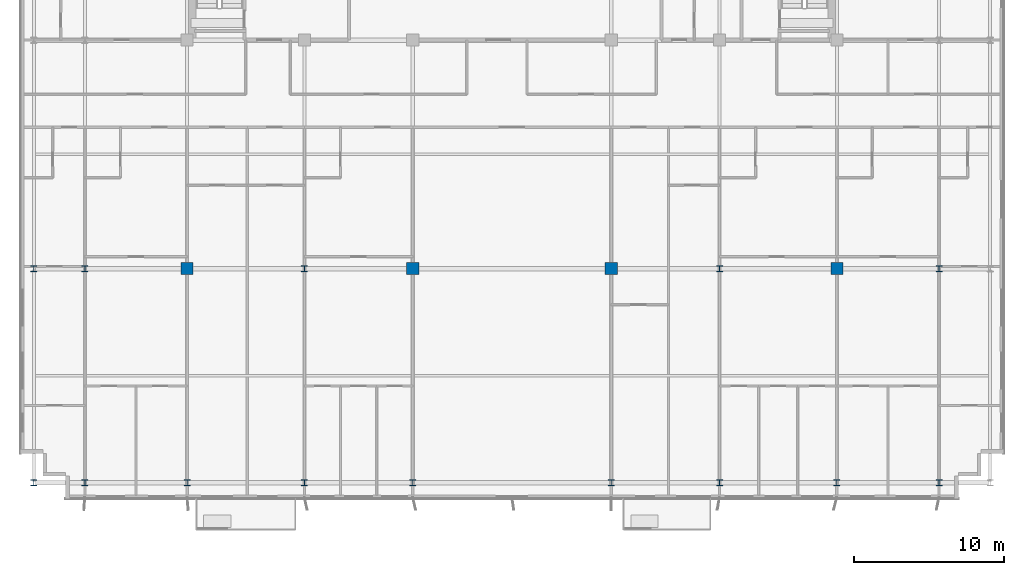
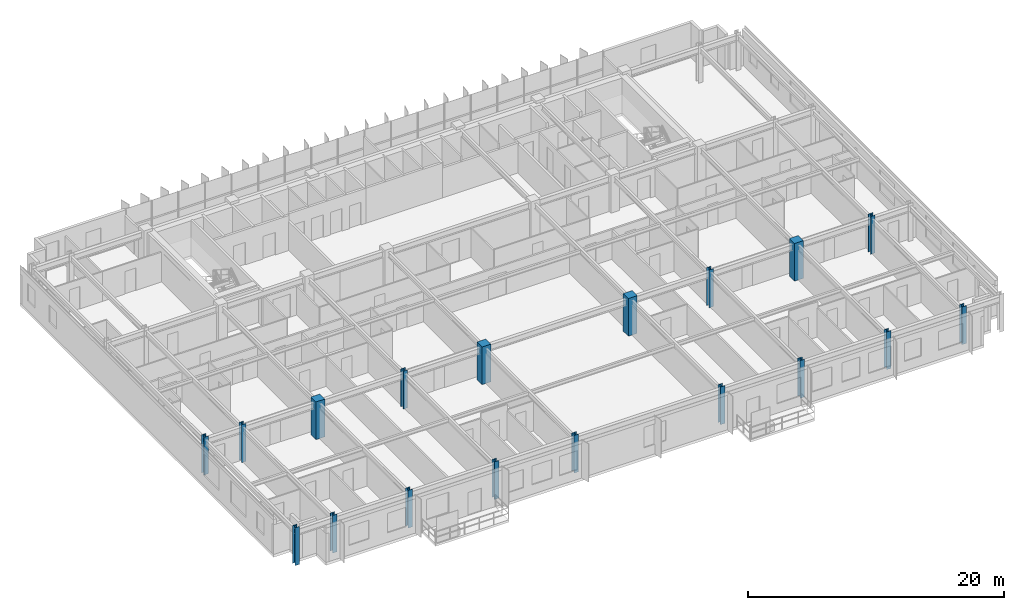
# One storey, part 1 of 22: 18 columns.
"""IFC4 building model written with IfcOpenShell, lengths in metres."""

from ifc_helpers import new_model, si_unit, direction, frame, origin, origin_2d, place, context, subcontext, project, spatial, rectangle, i_section, extrude, source, transform, mapped, material, material_profile, profile_set, type_object, element, save


model = new_model("IFC4")

# Units and contexts
model_context = context("Model", 3, precision=1e-05, world=origin(), true_north=direction((0.0, 1.0)))
body_context = subcontext(model_context, "Body", "Model", "MODEL_VIEW")
ifc_project = project(units=[si_unit("LENGTHUNIT", "METRE"), si_unit("AREAUNIT", "SQUARE_METRE"), si_unit("VOLUMEUNIT", "CUBIC_METRE"), si_unit("PLANEANGLEUNIT", "RADIAN"), si_unit("MASSUNIT", "GRAM", prefix="KILO")], contexts=[model_context])

# Site, building, storey
site_placement = place(None, origin())
site = spatial("IfcSite", under=ifc_project, at=site_placement, CompositionType="ELEMENT")
building_placement = place(site_placement, origin())
building = spatial("IfcBuilding", under=site, at=building_placement, Name="Trelvane Seafront Commons", CompositionType="ELEMENT")
storey_placement = place(building_placement, frame((0.0, 0.0, 99.699951171875)))
storey = spatial("IfcBuildingStorey", under=building, at=storey_placement, Name="L25", CompositionType="ELEMENT", Elevation=99.699951171875)

# Columns
ifc_material_1 = material(Name="Steel SM355 (S355)", Category="steel")
ifc_material_profile_1 = material_profile(ifc_material_1, i_section(OverallWidth=0.39990234375, OverallDepth=0.39990234375, WebThickness=0.02197265625, FlangeThickness=0.034912109375, at=origin_2d()), Name="HD-400x400x22x35")
ifc_profile_set_1 = profile_set([ifc_material_profile_1], Name="Steel SM355 (S355)")
column_type_1 = type_object("IfcColumnType", Name="STR-COL-HD400", PredefinedType="COLUMN", material=ifc_profile_set_1)
shared_shape_1 = source(origin(), body_context, "Body", "SweptSolid", [
    extrude(i_section(OverallWidth=0.39990234375, OverallDepth=0.39990234375, WebThickness=0.02197265625, FlangeThickness=0.034912109375, at=origin_2d()), origin(), (0.0, 0.0, 1.0), 3.60009765625),
])
for number, where, z_axis, x_axis, name in (
    (1, (5.39990234375, 3.949951171875, 0.0), (0.0, 0.0, 1.0), (1.0, 0.0, 0.0), "L25 Column TC-S5.4"),
    (2, (5.39990234375, 18.199951171875, 0.0), (0.0, 0.0, 1.0), (1.0, 0.0, 0.0), "L25 Column TC-M5.4"),
    (3, (8.800048828125, 3.949951171875, 0.0), (0.0, 0.0, 1.0), (1.0, 0.0, 0.0), "L25 Column TC-S8.8"),
    (4, (8.800048828125, 18.199951171875, 0.0), (0.0, 0.0, 1.0), (1.0, 0.0, 0.0), "L25 Column TC-M8.8"),
    (5, (15.60009765625, 3.949951171875, 0.0), (0.0, 0.0, 1.0), (1.0, 0.0, 0.0), "L25 Column TC-S15.6"),
    (6, (23.39990234375, 3.949951171875, 0.0), (0.0, 0.0, 1.0), (1.0, 0.0, 0.0), "L25 Column TC-S23.4"),
    (7, (23.39990234375, 18.199951171875, 0.0), (0.0, 0.0, 1.0), (1.0, 0.0, 0.0), "L25 Column TC-M23.4"),
    (8, (30.60009765625, 3.949951171875, 0.0), (0.0, 0.0, 1.0), (1.0, 0.0, 0.0), "L25 Column TC-S30.6"),
    (9, (43.800048828125, 3.949951171875, 0.0), (0.0, 0.0, 1.0), (1.0, 0.0, 0.0), "L25 Column TC-S43.8"),
    (10, (51.0, 3.949951171875, 0.0), (0.0, 0.0, 1.0), (1.0, 0.0, 0.0), "L25 Column TC-S51.0"),
    (11, (51.0, 18.199951171875, 0.0), (0.0, 0.0, 1.0), (1.0, 0.0, 0.0), "L25 Column TC-M51.0"),
    (12, (58.800048828125, 3.949951171875, 0.0), (0.0, 0.0, 1.0), (1.0, 0.0, 0.0), "L25 Column TC-S58.8"),
    (13, (65.60009765625, 3.949951171875, 0.0), (0.0, 0.0, 1.0), (1.0, 0.0, 0.0), "L25 Column TC-S65.6"),
    (14, (65.60009765625, 18.199951171875, 0.0), (0.0, 0.0, 1.0), (1.0, 0.0, 0.0), "L25 Column TC-M65.6"),
):
    element("IfcColumn", number, at=place(storey_placement, frame(where, z_axis=z_axis, x_axis=x_axis)), inside=storey, type_object=column_type_1, Name=name, PredefinedType="COLUMN", context=body_context, shape_type="MappedRepresentation", body=[
        mapped(shared_shape_1, transform((0.0, 0.0, 0.0), x_axis=(1.0, 0.0, 0.0), y_axis=(0.0, 1.0, 0.0), z_axis=(0.0, 0.0, 1.0), scale=1.0)),
    ])
ifc_material_2 = material(Name="Concrete C60/75", Category="concrete")
ifc_material_profile_2 = material_profile(ifc_material_2, rectangle(XDim=0.800048828125, YDim=0.800048828125, at=origin_2d()), Name="RC-800x800")
ifc_profile_set_2 = profile_set([ifc_material_profile_2], Name="Concrete C60/75")
column_type_2 = type_object("IfcColumnType", Name="STR-COL-RC800", PredefinedType="COLUMN", material=ifc_profile_set_2)
shared_shape_2 = source(origin(), body_context, "Body", "SweptSolid", [
    extrude(rectangle(XDim=0.800048828125, YDim=0.800048828125, at=origin_2d()), origin(), (0.0, 0.0, 1.0), 3.60009765625),
])
for number, where, z_axis, x_axis, name in (
    (15, (15.60009765625, 18.199951171875, 0.0), (0.0, 0.0, 1.0), (1.0, 0.0, 0.0), "L25 Column TC-M15.6"),
    (16, (30.60009765625, 18.199951171875, 0.0), (0.0, 0.0, 1.0), (1.0, 0.0, 0.0), "L25 Column TC-M30.6"),
    (17, (43.800048828125, 18.199951171875, 0.0), (0.0, 0.0, 1.0), (1.0, 0.0, 0.0), "L25 Column TC-M43.8"),
    (18, (58.800048828125, 18.199951171875, 0.0), (0.0, 0.0, 1.0), (1.0, 0.0, 0.0), "L25 Column TC-M58.8"),
):
    element("IfcColumn", number, at=place(storey_placement, frame(where, z_axis=z_axis, x_axis=x_axis)), inside=storey, type_object=column_type_2, Name=name, PredefinedType="COLUMN", context=body_context, shape_type="MappedRepresentation", body=[
        mapped(shared_shape_2, transform((0.0, 0.0, 0.0), x_axis=(1.0, 0.0, 0.0), y_axis=(0.0, 1.0, 0.0), z_axis=(0.0, 0.0, 1.0), scale=1.0)),
    ])

save(model, "model.ifc")
